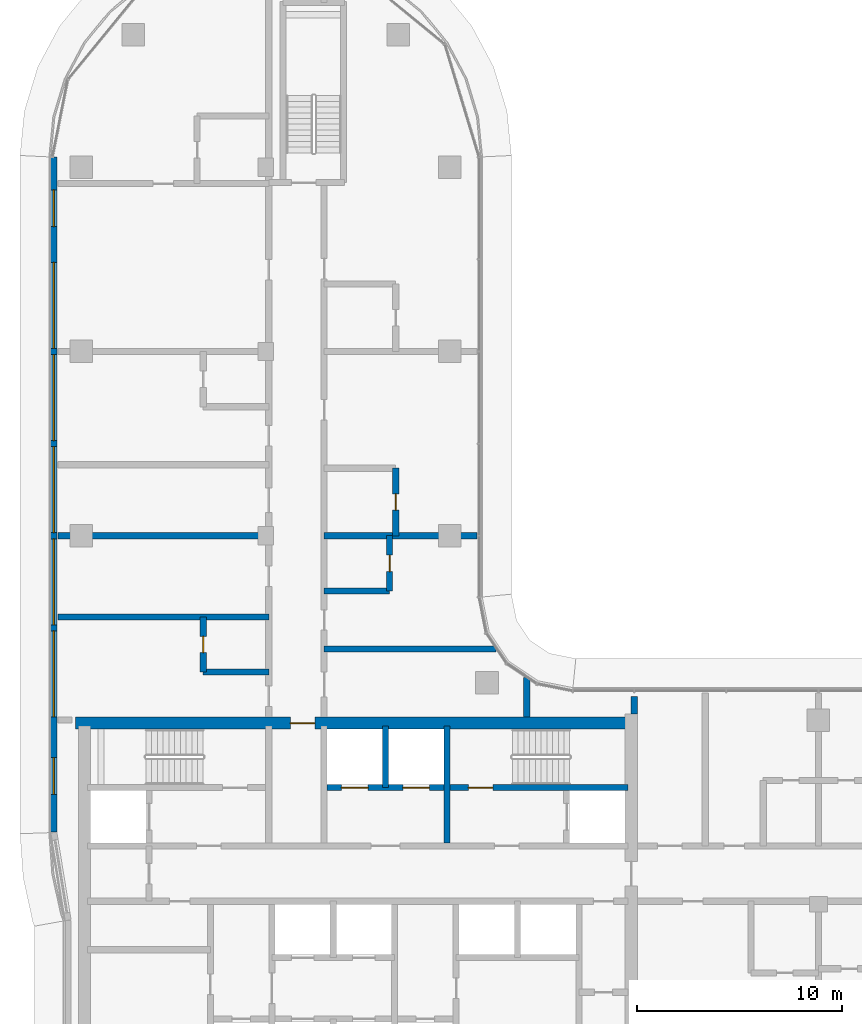
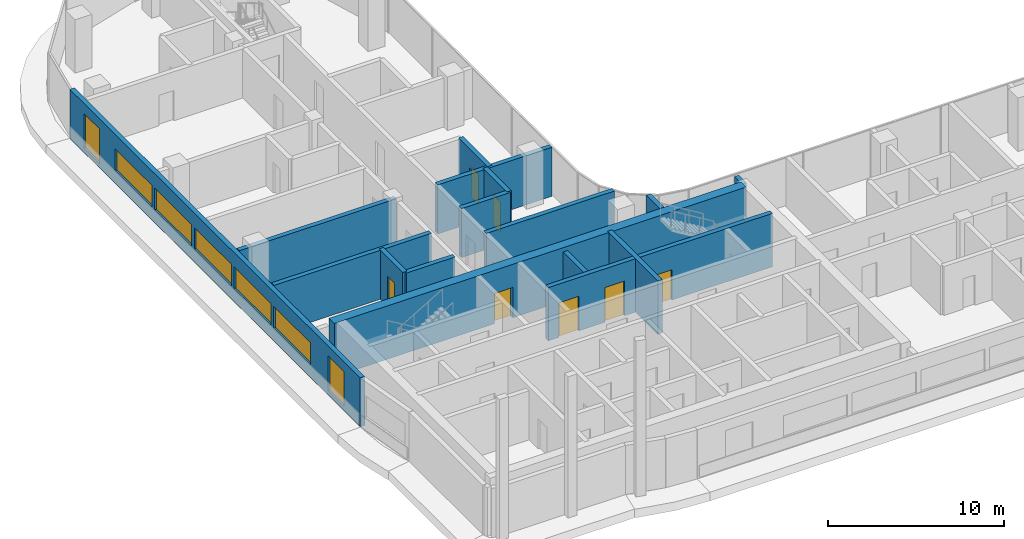
# One storey, part 10 of 24: 16 walls, 7 doors, 7 windows, 14 openings.
"""IFC4 building model written with IfcOpenShell, lengths in metres."""

from ifc_helpers import new_model, si_unit, direction, frame, frame_2d, origin, place, context, subcontext, project, spatial, rectangle, extrude, material, layer, layer_set, type_object, element, fill, save


model = new_model("IFC4")

# Units and contexts
model_context = context("Model", 3, precision=1e-05, world=origin(), true_north=direction((0.0, 1.0)))
body_context = subcontext(model_context, "Body", "Model", "MODEL_VIEW")
ifc_project = project(units=[si_unit("LENGTHUNIT", "METRE"), si_unit("AREAUNIT", "SQUARE_METRE"), si_unit("VOLUMEUNIT", "CUBIC_METRE"), si_unit("PLANEANGLEUNIT", "RADIAN"), si_unit("MASSUNIT", "GRAM", prefix="KILO")], contexts=[model_context])

# Site, building, storey
site_placement = place(None, origin())
site = spatial("IfcSite", under=ifc_project, at=site_placement, CompositionType="ELEMENT")
building_placement = place(site_placement, origin())
building = spatial("IfcBuilding", under=site, at=building_placement, Name="Ogive Portal Towers", CompositionType="ELEMENT")
storey_placement = place(building_placement, frame((0.0, 0.0, 142.199951171875)))
storey = spatial("IfcBuildingStorey", under=building, at=storey_placement, Name="L34", CompositionType="ELEMENT", Elevation=142.199951171875)

# Wall, openings, doors
ifc_material_1 = material(Name="Concrete C60/75", Category="concrete")
ifc_layer_1 = layer(ifc_material_1, 0.300048828125)
ifc_layer_set_1 = layer_set([ifc_layer_1], Name="CORE WALL 300 C60")
wall_type_1 = type_object("IfcWallType", Name="CORE WALL 300 C60", PredefinedType="SHEAR", material=ifc_layer_set_1)
wall_1_placement = place(storey_placement, frame((43.5, 36.199951171875, 0.0), z_axis=(0.0, 0.0, 1.0), x_axis=(1.0, 0.0, 0.0)))
wall_1 = element("IfcWall", 1, at=wall_1_placement, inside=storey, type_object=wall_type_1, Name="Core wall Y3b L34", PredefinedType="SHEAR", context=body_context, shape_type="SweptSolid", body=[
    extrude(rectangle(XDim=14.699951171875, YDim=0.300048828125, at=frame_2d((7.35009765625, 0.0))), origin(), (0.0, 0.0, 1.0), 3.699951171875),
])
opening_1_placement = place(wall_1_placement, frame((6.89990234375, 0.0, 0.0)))
opening_1 = element("IfcOpeningElement", 2, at=opening_1_placement, cuts=wall_1, Name="Opening D13-006", PredefinedType="OPENING", context=body_context, shape_type="SweptSolid", body=[
    extrude(rectangle(XDim=1.199951171875, YDim=2.10009765625, at=frame_2d((0.60009765625, 1.050048828125))), frame((0.0, 0.16015625, 0.0), z_axis=(0.0, -1.0, 0.0), x_axis=(1.0, 0.0, 0.0)), (0.0, 0.0, 1.0), 0.320068359375),
])
opening_2_placement = place(wall_1_placement, frame((0.699951171875, 0.0, 0.0)))
opening_2 = element("IfcOpeningElement", 3, at=opening_2_placement, cuts=wall_1, Name="Opening D13-017", PredefinedType="OPENING", context=body_context, shape_type="SweptSolid", body=[
    extrude(rectangle(XDim=1.300048828125, YDim=2.39990234375, at=frame_2d((0.64990234375, 1.199951171875))), frame((0.0, 0.16015625, 0.0), z_axis=(0.0, -1.0, 0.0), x_axis=(1.0, 0.0, 0.0)), (0.0, 0.0, 1.0), 0.320068359375),
])
opening_3_placement = place(wall_1_placement, frame((3.699951171875, 0.0, 0.0)))
opening_3 = element("IfcOpeningElement", 4, at=opening_3_placement, cuts=wall_1, Name="Opening D13-018", PredefinedType="OPENING", context=body_context, shape_type="SweptSolid", body=[
    extrude(rectangle(XDim=1.300048828125, YDim=2.39990234375, at=frame_2d((0.64990234375, 1.199951171875))), frame((0.0, 0.16015625, 0.0), z_axis=(0.0, -1.0, 0.0), x_axis=(1.0, 0.0, 0.0)), (0.0, 0.0, 1.0), 0.320068359375),
])
ifc_material_2 = material(Name="Stainless steel", Category="steel")
door_type_1 = type_object("IfcDoorType", Name="DT-LD-1300x2400", OperationType="SLIDING_TO_LEFT", PredefinedType="DOOR", material=ifc_material_2)
door_1_placement = place(opening_2_placement, origin())
door_1 = element("IfcDoor", 5, at=door_1_placement, inside=storey, type_object=door_type_1, Name="Door D13-017", OperationType="SLIDING_TO_LEFT", OverallHeight=2.39990234375, OverallWidth=1.300048828125, PredefinedType="DOOR", context=body_context, shape_type="SweptSolid", body=[
    extrude(rectangle(XDim=1.300048828125, YDim=2.39990234375, at=frame_2d((0.64990234375, 1.199951171875))), frame((0.0, 0.02490234375, 0.0), z_axis=(0.0, -1.0, 0.0), x_axis=(1.0, 0.0, 0.0)), (0.0, 0.0, 1.0), 0.050048828125),
])
fill(opening_2, door_1)
door_2_placement = place(opening_3_placement, origin())
door_2 = element("IfcDoor", 6, at=door_2_placement, inside=storey, type_object=door_type_1, Name="Door D13-018", OperationType="SLIDING_TO_LEFT", OverallHeight=2.39990234375, OverallWidth=1.300048828125, PredefinedType="DOOR", context=body_context, shape_type="SweptSolid", body=[
    extrude(rectangle(XDim=1.300048828125, YDim=2.39990234375, at=frame_2d((0.64990234375, 1.199951171875))), frame((0.0, 0.02490234375, 0.0), z_axis=(0.0, -1.0, 0.0), x_axis=(1.0, 0.0, 0.0)), (0.0, 0.0, 1.0), 0.050048828125),
])
fill(opening_3, door_2)
ifc_material_3 = material(Name="Steel fire door", Category="steel")
door_type_2 = type_object("IfcDoorType", Name="DT-SWING-1200x2100-FD90S", OperationType="SINGLE_SWING_LEFT", PredefinedType="DOOR", material=ifc_material_3)
door_3_placement = place(opening_1_placement, origin())
door_3 = element("IfcDoor", 7, at=door_3_placement, inside=storey, type_object=door_type_2, Name="Door D13-006", OperationType="SINGLE_SWING_LEFT", OverallHeight=2.10009765625, OverallWidth=1.199951171875, PredefinedType="DOOR", context=body_context, shape_type="SweptSolid", body=[
    extrude(rectangle(XDim=1.199951171875, YDim=2.10009765625, at=frame_2d((0.60009765625, 1.050048828125))), frame((0.0, 0.02490234375, 0.0), z_axis=(0.0, -1.0, 0.0), x_axis=(1.0, 0.0, 0.0)), (0.0, 0.0, 1.0), 0.050048828125),
])
fill(opening_1, door_3)

# Wall
wall_2_placement = place(storey_placement, frame((49.35009765625, 33.5, 0.0), z_axis=(0.0, 0.0, 1.0), x_axis=(0.0, 1.0, 0.0)))
element("IfcWall", 8, at=wall_2_placement, inside=storey, type_object=wall_type_1, Name="Core wall X9 L34", PredefinedType="SHEAR", context=body_context, shape_type="SweptSolid", body=[
    extrude(rectangle(XDim=5.699951171875, YDim=0.300048828125, at=frame_2d((2.85009765625, 0.0))), origin(), (0.0, 0.0, 1.0), 3.699951171875),
])

# Wall, opening, door
ifc_layer_2 = layer(ifc_material_1, 0.60009765625)
ifc_layer_set_2 = layer_set([ifc_layer_2], Name="CORE WALL 600 C60")
wall_type_2 = type_object("IfcWallType", Name="CORE WALL 600 C60", PredefinedType="SHEAR", material=ifc_layer_set_2)
wall_3_placement = place(storey_placement, frame((31.199951171875, 39.35009765625, 0.0), z_axis=(0.0, 0.0, 1.0), x_axis=(1.0, 0.0, 0.0)))
wall_3 = element("IfcWall", 9, at=wall_3_placement, inside=storey, type_object=wall_type_2, Name="Core wall N L34", PredefinedType="SHEAR", context=body_context, shape_type="SweptSolid", body=[
    extrude(rectangle(XDim=27.0, YDim=0.60009765625, at=frame_2d((13.5, 0.0))), origin(), (0.0, 0.0, 1.0), 3.699951171875),
])
opening_4_placement = place(wall_3_placement, frame((10.5, 0.0, 0.0)))
opening_4 = element("IfcOpeningElement", 10, at=opening_4_placement, cuts=wall_3, Name="Opening D13-012", PredefinedType="OPENING", context=body_context, shape_type="SweptSolid", body=[
    extrude(rectangle(XDim=1.199951171875, YDim=2.10009765625, at=frame_2d((0.60009765625, 1.050048828125))), frame((0.0, 0.31005859375, 0.0), z_axis=(0.0, -1.0, 0.0), x_axis=(1.0, 0.0, 0.0)), (0.0, 0.0, 1.0), 0.6201171875),
])
door_4_placement = place(opening_4_placement, origin())
door_4 = element("IfcDoor", 11, at=door_4_placement, inside=storey, type_object=door_type_2, Name="Door D13-012", OperationType="SINGLE_SWING_RIGHT", OverallHeight=2.10009765625, OverallWidth=1.199951171875, PredefinedType="DOOR", context=body_context, shape_type="SweptSolid", body=[
    extrude(rectangle(XDim=1.199951171875, YDim=2.10009765625, at=frame_2d((0.60009765625, 1.050048828125))), frame((0.0, 0.02490234375, 0.0), z_axis=(0.0, -1.0, 0.0), x_axis=(1.0, 0.0, 0.0)), (0.0, 0.0, 1.0), 0.050048828125),
])
fill(opening_4, door_4)

# Wall, openings, windows
ifc_material_4 = material(Name="Limestone cladding on lightweight block wall", Category="masonry")
ifc_layer_3 = layer(ifc_material_4, 0.300048828125)
ifc_layer_set_3 = layer_set([ifc_layer_3], Name="EXTERNAL WALL 300 STONE")
wall_type_3 = type_object("IfcWallType", Name="EXTERNAL WALL 300 STONE", PredefinedType="SOLIDWALL", material=ifc_layer_set_3)
wall_4_placement = place(storey_placement, frame((30.14990234375, 66.9921875, 0.0), z_axis=(0.0, 0.0, 1.0), x_axis=(0.0, -1.0, 0.0)))
wall_4 = element("IfcWall", 12, at=wall_4_placement, inside=storey, type_object=wall_type_3, Name="A:L34:f24:r0:wall", PredefinedType="SOLIDWALL", context=body_context, shape_type="SweptSolid", body=[
    extrude(rectangle(XDim=32.968017578125, YDim=0.300048828125, at=frame_2d((16.48388671875, 0.0))), origin(), (0.0, 0.0, 1.0), 3.400146484375),
])
opening_5_placement = place(wall_4_placement, frame((1.595947265625, 0.0, 0.300048828125)))
opening_5 = element("IfcOpeningElement", 13, at=opening_5_placement, cuts=wall_4, Name="Opening WN10", PredefinedType="OPENING", context=body_context, shape_type="SweptSolid", body=[
    extrude(rectangle(XDim=1.800048828125, YDim=2.39990234375, at=frame_2d((0.89990234375, 1.199951171875))), frame((0.0, 0.16015625, 0.0), z_axis=(0.0, -1.0, 0.0), x_axis=(1.0, 0.0, 0.0)), (0.0, 0.0, 1.0), 0.320068359375),
])
opening_6_placement = place(wall_4_placement, frame((5.14208984375, 0.0, 0.89990234375)))
opening_6 = element("IfcOpeningElement", 14, at=opening_6_placement, cuts=wall_4, Name="Opening WN11", PredefinedType="OPENING", context=body_context, shape_type="SweptSolid", body=[
    extrude(rectangle(XDim=4.199951171875, YDim=1.5, at=frame_2d((2.10009765625, 0.75))), frame((0.0, 0.16015625, 0.0), z_axis=(0.0, -1.0, 0.0), x_axis=(1.0, 0.0, 0.0)), (0.0, 0.0, 1.0), 0.320068359375),
])
opening_7_placement = place(wall_4_placement, frame((9.64208984375, 0.0, 0.89990234375)))
opening_7 = element("IfcOpeningElement", 15, at=opening_7_placement, cuts=wall_4, Name="Opening WN11", PredefinedType="OPENING", context=body_context, shape_type="SweptSolid", body=[
    extrude(rectangle(XDim=4.199951171875, YDim=1.5, at=frame_2d((2.10009765625, 0.75))), frame((0.0, 0.16015625, 0.0), z_axis=(0.0, -1.0, 0.0), x_axis=(1.0, 0.0, 0.0)), (0.0, 0.0, 1.0), 0.320068359375),
])
opening_8_placement = place(wall_4_placement, frame((14.14208984375, 0.0, 0.89990234375)))
opening_8 = element("IfcOpeningElement", 16, at=opening_8_placement, cuts=wall_4, Name="Opening WN11", PredefinedType="OPENING", context=body_context, shape_type="SweptSolid", body=[
    extrude(rectangle(XDim=4.199951171875, YDim=1.5, at=frame_2d((2.10009765625, 0.75))), frame((0.0, 0.16015625, 0.0), z_axis=(0.0, -1.0, 0.0), x_axis=(1.0, 0.0, 0.0)), (0.0, 0.0, 1.0), 0.320068359375),
])
opening_9_placement = place(wall_4_placement, frame((18.64208984375, 0.0, 0.89990234375)))
opening_9 = element("IfcOpeningElement", 17, at=opening_9_placement, cuts=wall_4, Name="Opening WN11", PredefinedType="OPENING", context=body_context, shape_type="SweptSolid", body=[
    extrude(rectangle(XDim=4.199951171875, YDim=1.5, at=frame_2d((2.10009765625, 0.75))), frame((0.0, 0.16015625, 0.0), z_axis=(0.0, -1.0, 0.0), x_axis=(1.0, 0.0, 0.0)), (0.0, 0.0, 1.0), 0.320068359375),
])
opening_10_placement = place(wall_4_placement, frame((23.14208984375, 0.0, 0.89990234375)))
opening_10 = element("IfcOpeningElement", 18, at=opening_10_placement, cuts=wall_4, Name="Opening WN11", PredefinedType="OPENING", context=body_context, shape_type="SweptSolid", body=[
    extrude(rectangle(XDim=4.199951171875, YDim=1.5, at=frame_2d((2.10009765625, 0.75))), frame((0.0, 0.16015625, 0.0), z_axis=(0.0, -1.0, 0.0), x_axis=(1.0, 0.0, 0.0)), (0.0, 0.0, 1.0), 0.320068359375),
])
opening_11_placement = place(wall_4_placement, frame((29.330078125, 0.0, 0.300048828125)))
opening_11 = element("IfcOpeningElement", 19, at=opening_11_placement, cuts=wall_4, Name="Opening WN10", PredefinedType="OPENING", context=body_context, shape_type="SweptSolid", body=[
    extrude(rectangle(XDim=1.800048828125, YDim=2.39990234375, at=frame_2d((0.89990234375, 1.199951171875))), frame((0.0, 0.16015625, 0.0), z_axis=(0.0, -1.0, 0.0), x_axis=(1.0, 0.0, 0.0)), (0.0, 0.0, 1.0), 0.320068359375),
])
ifc_material_5 = material(Name="Glass, clear low-iron insulated glazing", Category="glass")
window_type_1 = type_object("IfcWindowType", Name="WINDOW RIBBON 4200x1500", PartitioningType="TRIPLE_PANEL_VERTICAL", PredefinedType="WINDOW", material=ifc_material_5)
window_1_placement = place(opening_6_placement, origin())
window_1 = element("IfcWindow", 20, at=window_1_placement, inside=storey, type_object=window_type_1, Name="A:L34:f24:r0:w1", OverallHeight=1.5, OverallWidth=4.199951171875, PartitioningType="SINGLE_PANEL", PredefinedType="WINDOW", context=body_context, shape_type="SweptSolid", body=[
    extrude(rectangle(XDim=4.199951171875, YDim=1.5, at=frame_2d((2.10009765625, 0.75))), frame((0.0, 0.030029296875, 0.0), z_axis=(0.0, -1.0, 0.0), x_axis=(1.0, 0.0, 0.0)), (0.0, 0.0, 1.0), 0.06005859375),
])
fill(opening_6, window_1)
window_2_placement = place(opening_7_placement, origin())
window_2 = element("IfcWindow", 21, at=window_2_placement, inside=storey, type_object=window_type_1, Name="A:L34:f24:r0:w2", OverallHeight=1.5, OverallWidth=4.199951171875, PartitioningType="SINGLE_PANEL", PredefinedType="WINDOW", context=body_context, shape_type="SweptSolid", body=[
    extrude(rectangle(XDim=4.199951171875, YDim=1.5, at=frame_2d((2.10009765625, 0.75))), frame((0.0, 0.030029296875, 0.0), z_axis=(0.0, -1.0, 0.0), x_axis=(1.0, 0.0, 0.0)), (0.0, 0.0, 1.0), 0.06005859375),
])
fill(opening_7, window_2)
window_3_placement = place(opening_8_placement, origin())
window_3 = element("IfcWindow", 22, at=window_3_placement, inside=storey, type_object=window_type_1, Name="A:L34:f24:r0:w3", OverallHeight=1.5, OverallWidth=4.199951171875, PartitioningType="SINGLE_PANEL", PredefinedType="WINDOW", context=body_context, shape_type="SweptSolid", body=[
    extrude(rectangle(XDim=4.199951171875, YDim=1.5, at=frame_2d((2.10009765625, 0.75))), frame((0.0, 0.030029296875, 0.0), z_axis=(0.0, -1.0, 0.0), x_axis=(1.0, 0.0, 0.0)), (0.0, 0.0, 1.0), 0.06005859375),
])
fill(opening_8, window_3)
window_4_placement = place(opening_9_placement, origin())
window_4 = element("IfcWindow", 23, at=window_4_placement, inside=storey, type_object=window_type_1, Name="A:L34:f24:r0:w4", OverallHeight=1.5, OverallWidth=4.199951171875, PartitioningType="SINGLE_PANEL", PredefinedType="WINDOW", context=body_context, shape_type="SweptSolid", body=[
    extrude(rectangle(XDim=4.199951171875, YDim=1.5, at=frame_2d((2.10009765625, 0.75))), frame((0.0, 0.030029296875, 0.0), z_axis=(0.0, -1.0, 0.0), x_axis=(1.0, 0.0, 0.0)), (0.0, 0.0, 1.0), 0.06005859375),
])
fill(opening_9, window_4)
window_5_placement = place(opening_10_placement, origin())
window_5 = element("IfcWindow", 24, at=window_5_placement, inside=storey, type_object=window_type_1, Name="A:L34:f24:r0:w5", OverallHeight=1.5, OverallWidth=4.199951171875, PartitioningType="SINGLE_PANEL", PredefinedType="WINDOW", context=body_context, shape_type="SweptSolid", body=[
    extrude(rectangle(XDim=4.199951171875, YDim=1.5, at=frame_2d((2.10009765625, 0.75))), frame((0.0, 0.030029296875, 0.0), z_axis=(0.0, -1.0, 0.0), x_axis=(1.0, 0.0, 0.0)), (0.0, 0.0, 1.0), 0.06005859375),
])
fill(opening_10, window_5)
window_type_2 = type_object("IfcWindowType", Name="WINDOW SUITE CORNER 1800x2400", PartitioningType="DOUBLE_PANEL_VERTICAL", PredefinedType="WINDOW", material=ifc_material_5)
window_6_placement = place(opening_5_placement, origin())
window_6 = element("IfcWindow", 25, at=window_6_placement, inside=storey, type_object=window_type_2, Name="A:L34:f24:r0:w0", OverallHeight=2.39990234375, OverallWidth=1.800048828125, PartitioningType="SINGLE_PANEL", PredefinedType="WINDOW", context=body_context, shape_type="SweptSolid", body=[
    extrude(rectangle(XDim=1.800048828125, YDim=2.39990234375, at=frame_2d((0.89990234375, 1.199951171875))), frame((0.0, 0.030029296875, 0.0), z_axis=(0.0, -1.0, 0.0), x_axis=(1.0, 0.0, 0.0)), (0.0, 0.0, 1.0), 0.06005859375),
])
fill(opening_5, window_6)
window_7_placement = place(opening_11_placement, origin())
window_7 = element("IfcWindow", 26, at=window_7_placement, inside=storey, type_object=window_type_2, Name="A:L34:f24:r0:w6", OverallHeight=2.39990234375, OverallWidth=1.800048828125, PartitioningType="SINGLE_PANEL", PredefinedType="WINDOW", context=body_context, shape_type="SweptSolid", body=[
    extrude(rectangle(XDim=1.800048828125, YDim=2.39990234375, at=frame_2d((0.89990234375, 1.199951171875))), frame((0.0, 0.030029296875, 0.0), z_axis=(0.0, -1.0, 0.0), x_axis=(1.0, 0.0, 0.0)), (0.0, 0.0, 1.0), 0.06005859375),
])
fill(opening_11, window_7)

# Walls
ifc_material_6 = material(Name="Gypsum board partition on steel studs", Category="steel")
ifc_layer_4 = layer(ifc_material_6, 0.300048828125)
ifc_layer_set_4 = layer_set([ifc_layer_4], Name="WT-PART-300-EI 60")
wall_type_4 = type_object("IfcWallType", Name="WT-PART-300-EI 60", PredefinedType="PARTITIONING", material=ifc_layer_set_4)
wall_5_placement = place(storey_placement, frame((37.449951171875, 41.840087890625, 0.0), z_axis=(0.0, 0.0, 1.0), x_axis=(1.0, 0.0, 0.0)))
element("IfcWall", 27, at=wall_5_placement, inside=storey, type_object=wall_type_4, Name="Wall L34:w014", PredefinedType="PARTITIONING", context=body_context, shape_type="SweptSolid", body=[
    extrude(rectangle(XDim=3.199951171875, YDim=0.300048828125, at=frame_2d((1.60009765625, 0.0))), origin(), (0.0, 0.0, 1.0), 3.400146484375),
])
wall_6_placement = place(storey_placement, frame((43.35009765625, 42.969970703125, 0.0), z_axis=(0.0, 0.0, 1.0), x_axis=(1.0, 0.0, 0.0)))
element("IfcWall", 28, at=wall_6_placement, inside=storey, type_object=wall_type_4, Name="Wall L34:w015", PredefinedType="PARTITIONING", context=body_context, shape_type="SweptSolid", body=[
    extrude(rectangle(XDim=8.40185546875, YDim=0.300048828125, at=frame_2d((4.200927734375, 0.0))), origin(), (0.0, 0.0, 1.0), 3.400146484375),
])
wall_7_placement = place(storey_placement, frame((30.35009765625, 44.5400390625, 0.0), z_axis=(0.0, 0.0, 1.0), x_axis=(1.0, 0.0, 0.0)))
element("IfcWall", 29, at=wall_7_placement, inside=storey, type_object=wall_type_4, Name="Wall L34:w016", PredefinedType="PARTITIONING", context=body_context, shape_type="SweptSolid", body=[
    extrude(rectangle(XDim=10.2998046875, YDim=0.300048828125, at=frame_2d((5.14990234375, 0.0))), origin(), (0.0, 0.0, 1.0), 3.400146484375),
])
wall_8_placement = place(storey_placement, frame((43.35009765625, 45.800048828125, 0.0), z_axis=(0.0, 0.0, 1.0), x_axis=(1.0, 0.0, 0.0)))
element("IfcWall", 30, at=wall_8_placement, inside=storey, type_object=wall_type_4, Name="Wall L34:w017", PredefinedType="PARTITIONING", context=body_context, shape_type="SweptSolid", body=[
    extrude(rectangle(XDim=3.199951171875, YDim=0.300048828125, at=frame_2d((1.60009765625, 0.0))), origin(), (0.0, 0.0, 1.0), 3.400146484375),
])
wall_9_placement = place(storey_placement, frame((30.35009765625, 48.5, 0.0), z_axis=(0.0, 0.0, 1.0), x_axis=(1.0, 0.0, 0.0)))
element("IfcWall", 31, at=wall_9_placement, inside=storey, type_object=wall_type_4, Name="Wall L34:w018", PredefinedType="PARTITIONING", context=body_context, shape_type="SweptSolid", body=[
    extrude(rectangle(XDim=10.2998046875, YDim=0.300048828125, at=frame_2d((5.14990234375, 0.0))), origin(), (0.0, 0.0, 1.0), 3.400146484375),
])
wall_10_placement = place(storey_placement, frame((43.35009765625, 48.5, 0.0), z_axis=(0.0, 0.0, 1.0), x_axis=(1.0, 0.0, 0.0)))
element("IfcWall", 32, at=wall_10_placement, inside=storey, type_object=wall_type_4, Name="Wall L34:w019", PredefinedType="PARTITIONING", context=body_context, shape_type="SweptSolid", body=[
    extrude(rectangle(XDim=7.47998046875, YDim=0.300048828125, at=frame_2d((3.739990234375, 0.0))), origin(), (0.0, 0.0, 1.0), 3.400146484375),
])

# Wall, opening, door
wall_11_placement = place(storey_placement, frame((37.449951171875, 41.840087890625, 0.0), z_axis=(0.0, 0.0, 1.0), x_axis=(0.0, 1.0, 0.0)))
wall_11 = element("IfcWall", 33, at=wall_11_placement, inside=storey, type_object=wall_type_4, Name="Wall L34:w031", PredefinedType="PARTITIONING", context=body_context, shape_type="SweptSolid", body=[
    extrude(rectangle(XDim=2.699951171875, YDim=0.300048828125, at=frame_2d((1.35009765625, 0.0))), origin(), (0.0, 0.0, 1.0), 3.400146484375),
])
opening_12_placement = place(wall_11_placement, frame((0.949951171875, 0.0, 0.0)))
opening_12 = element("IfcOpeningElement", 34, at=opening_12_placement, cuts=wall_11, Name="Opening D13-046", PredefinedType="OPENING", context=body_context, shape_type="SweptSolid", body=[
    extrude(rectangle(XDim=0.800048828125, YDim=2.10009765625, at=frame_2d((0.39990234375, 1.050048828125))), frame((0.0, 0.16015625, 0.0), z_axis=(0.0, -1.0, 0.0), x_axis=(1.0, 0.0, 0.0)), (0.0, 0.0, 1.0), 0.320068359375),
])
door_type_3 = type_object("IfcDoorType", Name="DT-BATH-800x2100-FD60S", OperationType="SINGLE_SWING_LEFT", PredefinedType="DOOR", material=ifc_material_3)
door_5_placement = place(opening_12_placement, origin())
door_5 = element("IfcDoor", 35, at=door_5_placement, inside=storey, type_object=door_type_3, Name="Door D13-046", OperationType="SINGLE_SWING_LEFT", OverallHeight=2.10009765625, OverallWidth=0.800048828125, PredefinedType="DOOR", context=body_context, shape_type="SweptSolid", body=[
    extrude(rectangle(XDim=0.800048828125, YDim=2.10009765625, at=frame_2d((0.39990234375, 1.050048828125))), frame((0.0, 0.02490234375, 0.0), z_axis=(0.0, -1.0, 0.0), x_axis=(1.0, 0.0, 0.0)), (0.0, 0.0, 1.0), 0.050048828125),
])
fill(opening_12, door_5)

wall_12_placement = place(storey_placement, frame((46.550048828125, 45.800048828125, 0.0), z_axis=(0.0, 0.0, 1.0), x_axis=(0.0, 1.0, 0.0)))
wall_12 = element("IfcWall", 36, at=wall_12_placement, inside=storey, type_object=wall_type_4, Name="Wall L34:w038", PredefinedType="PARTITIONING", context=body_context, shape_type="SweptSolid", body=[
    extrude(rectangle(XDim=2.699951171875, YDim=0.300048828125, at=frame_2d((1.35009765625, 0.0))), origin(), (0.0, 0.0, 1.0), 3.400146484375),
])
opening_13_placement = place(wall_12_placement, frame((0.949951171875, 0.0, 0.0)))
opening_13 = element("IfcOpeningElement", 37, at=opening_13_placement, cuts=wall_12, Name="Opening D13-044", PredefinedType="OPENING", context=body_context, shape_type="SweptSolid", body=[
    extrude(rectangle(XDim=0.800048828125, YDim=2.10009765625, at=frame_2d((0.39990234375, 1.050048828125))), frame((0.0, 0.16015625, 0.0), z_axis=(0.0, -1.0, 0.0), x_axis=(1.0, 0.0, 0.0)), (0.0, 0.0, 1.0), 0.320068359375),
])
door_6_placement = place(opening_13_placement, origin())
door_6 = element("IfcDoor", 38, at=door_6_placement, inside=storey, type_object=door_type_3, Name="Door D13-044", OperationType="SINGLE_SWING_LEFT", OverallHeight=2.10009765625, OverallWidth=0.800048828125, PredefinedType="DOOR", context=body_context, shape_type="SweptSolid", body=[
    extrude(rectangle(XDim=0.800048828125, YDim=2.10009765625, at=frame_2d((0.39990234375, 1.050048828125))), frame((0.0, 0.02490234375, 0.0), z_axis=(0.0, -1.0, 0.0), x_axis=(1.0, 0.0, 0.0)), (0.0, 0.0, 1.0), 0.050048828125),
])
fill(opening_13, door_6)

wall_13_placement = place(storey_placement, frame((46.85009765625, 48.5, 0.0), z_axis=(0.0, 0.0, 1.0), x_axis=(0.0, 1.0, 0.0)))
wall_13 = element("IfcWall", 39, at=wall_13_placement, inside=storey, type_object=wall_type_4, Name="Wall L34:w039", PredefinedType="PARTITIONING", context=body_context, shape_type="SweptSolid", body=[
    extrude(rectangle(XDim=3.300048828125, YDim=0.300048828125, at=frame_2d((1.64990234375, 0.0))), origin(), (0.0, 0.0, 1.0), 3.400146484375),
])
opening_14_placement = place(wall_13_placement, frame((1.25, 0.0, 0.0)))
opening_14 = element("IfcOpeningElement", 40, at=opening_14_placement, cuts=wall_13, Name="Opening D13-049", PredefinedType="OPENING", context=body_context, shape_type="SweptSolid", body=[
    extrude(rectangle(XDim=0.800048828125, YDim=2.10009765625, at=frame_2d((0.39990234375, 1.050048828125))), frame((0.0, 0.16015625, 0.0), z_axis=(0.0, -1.0, 0.0), x_axis=(1.0, 0.0, 0.0)), (0.0, 0.0, 1.0), 0.320068359375),
])
door_7_placement = place(opening_14_placement, origin())
door_7 = element("IfcDoor", 41, at=door_7_placement, inside=storey, type_object=door_type_3, Name="Door D13-049", OperationType="SINGLE_SWING_LEFT", OverallHeight=2.10009765625, OverallWidth=0.800048828125, PredefinedType="DOOR", context=body_context, shape_type="SweptSolid", body=[
    extrude(rectangle(XDim=0.800048828125, YDim=2.10009765625, at=frame_2d((0.39990234375, 1.050048828125))), frame((0.0, 0.02490234375, 0.0), z_axis=(0.0, -1.0, 0.0), x_axis=(1.0, 0.0, 0.0)), (0.0, 0.0, 1.0), 0.050048828125),
])
fill(opening_14, door_7)

# Walls
wall_14_placement = place(storey_placement, frame((53.25, 39.64990234375, 0.0), z_axis=(0.0, 0.0, 1.0), x_axis=(0.0, 1.0, 0.0)))
element("IfcWall", 42, at=wall_14_placement, inside=storey, type_object=wall_type_4, Name="Wall L34:w041", PredefinedType="PARTITIONING", context=body_context, shape_type="SweptSolid", body=[
    extrude(rectangle(XDim=1.9150390625, YDim=0.300048828125, at=frame_2d((0.95751953125, 0.0))), origin(), (0.0, 0.0, 1.0), 3.400146484375),
])
wall_15_placement = place(storey_placement, frame((58.5, 39.7900390625, 0.0), z_axis=(0.0, 0.0, 1.0), x_axis=(0.0, 1.0, 0.0)))
element("IfcWall", 43, at=wall_15_placement, inside=storey, type_object=wall_type_4, Name="Wall L34:w043", PredefinedType="PARTITIONING", context=body_context, shape_type="SweptSolid", body=[
    extrude(rectangle(XDim=0.85986328125, YDim=0.300048828125, at=frame_2d((0.429931640625, 0.0))), origin(), (0.0, 0.0, 1.0), 3.400146484375),
])
ifc_material_7 = material(Name="Concrete C40/50", Category="concrete")
ifc_layer_5 = layer(ifc_material_7, 0.300048828125)
ifc_layer_set_5 = layer_set([ifc_layer_5], Name="WT-SHAFT-300")
wall_type_5 = type_object("IfcWallType", Name="WT-SHAFT-300", PredefinedType="SOLIDWALL", material=ifc_layer_set_5)
wall_16_placement = place(storey_placement, frame((46.35009765625, 36.199951171875, 0.0), z_axis=(0.0, 0.0, 1.0), x_axis=(0.0, 1.0, 0.0)))
element("IfcWall", 44, at=wall_16_placement, inside=storey, type_object=wall_type_5, Name="Wall pw:010:L34", PredefinedType="SOLIDWALL", context=body_context, shape_type="SweptSolid", body=[
    extrude(rectangle(XDim=3.0, YDim=0.300048828125, at=frame_2d((1.5, 0.0))), origin(), (0.0, 0.0, 1.0), 3.400146484375),
])

save(model, "model.ifc")
